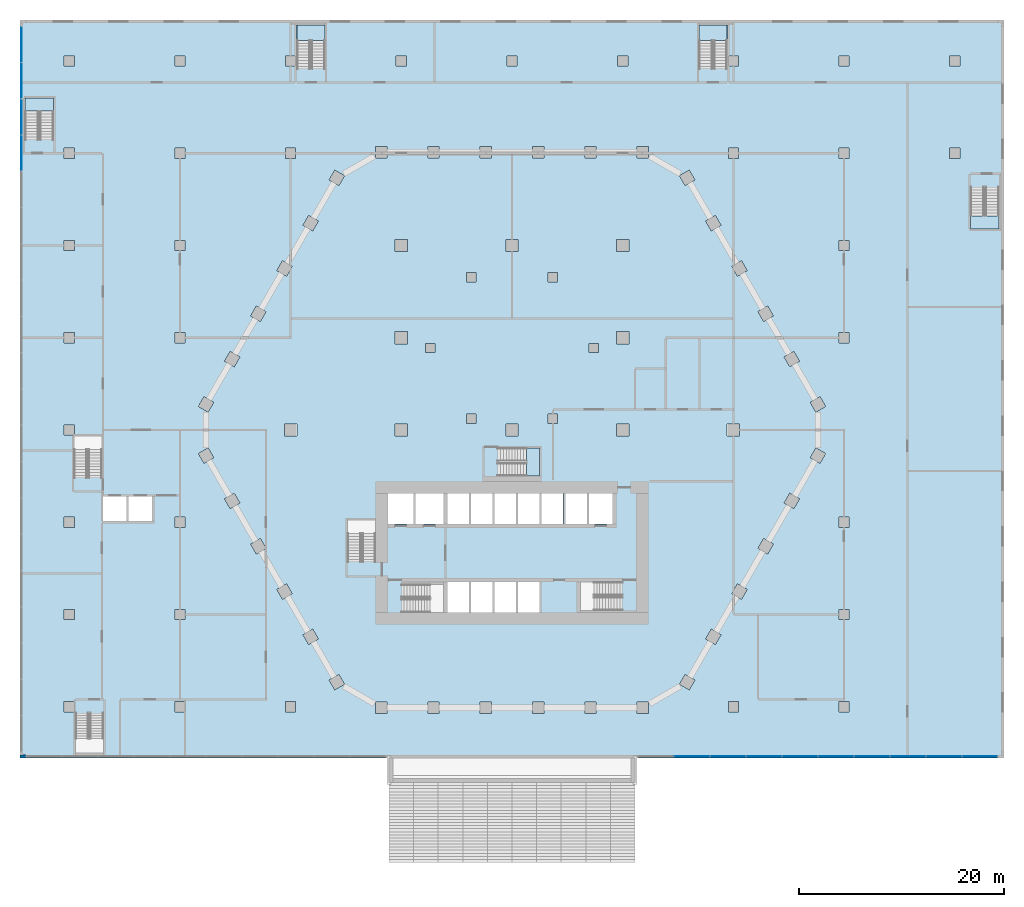
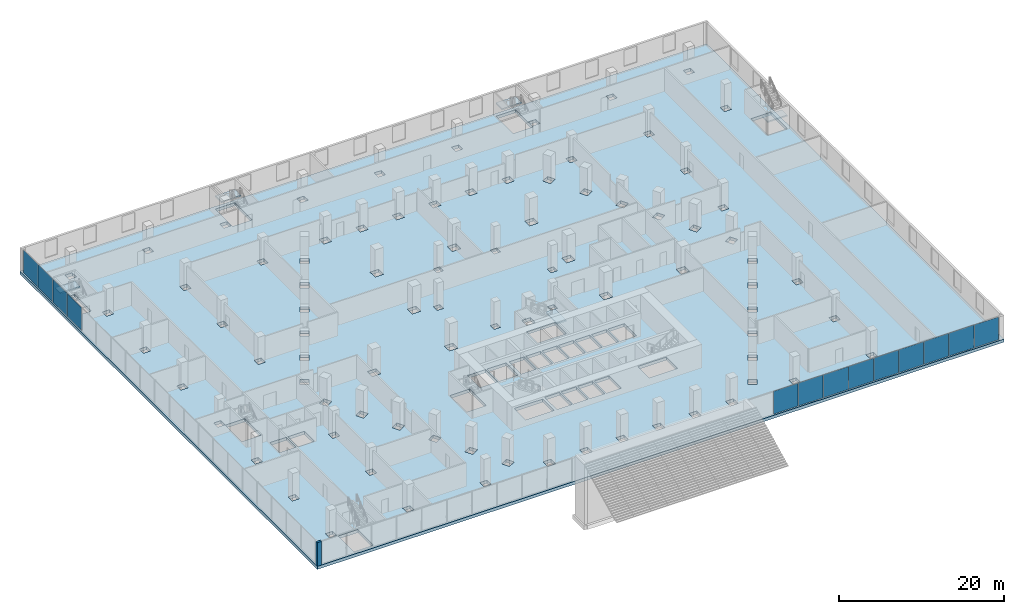
# One storey, part 13 of 45: 13 plates, 6 slabs, 1 wall, 7 elements without a shape of their own.
"""IFC4 building model written with IfcOpenShell, lengths in metres."""

from ifc_helpers import new_model, si_unit, direction, frame, frame_2d, origin, origin_2d, place, context, subcontext, project, spatial, polyline, rectangle, outline, extrude, material, layer, layer_set, type_object, element, aggregate, save


model = new_model("IFC4")

# Units and contexts
model_context = context("Model", 3, precision=1e-05, world=origin(), true_north=direction((0.0, 1.0)))
body_context = subcontext(model_context, "Body", "Model", "MODEL_VIEW")
ifc_project = project(units=[si_unit("LENGTHUNIT", "METRE"), si_unit("AREAUNIT", "SQUARE_METRE"), si_unit("VOLUMEUNIT", "CUBIC_METRE"), si_unit("PLANEANGLEUNIT", "RADIAN"), si_unit("MASSUNIT", "GRAM", prefix="KILO")], contexts=[model_context])

# Site, building, storey
site_placement = place(None, origin())
site = spatial("IfcSite", under=ifc_project, at=site_placement, CompositionType="ELEMENT")
building_placement = place(site_placement, origin())
building = spatial("IfcBuilding", under=site, at=building_placement, Name="Beryl Residences", CompositionType="ELEMENT")
storey_placement = place(building_placement, frame((0.0, 0.0, 5.0)))
storey = spatial("IfcBuildingStorey", under=building, at=storey_placement, Name="L01", CompositionType="ELEMENT", Elevation=5.0)

# Curtain wall, plates
ifc_material_1 = material(Name="Aluminium and clear glass", Category="aluminium")
curtain_wall_type = type_object("IfcCurtainWallType", Name="CW1 shopfront glazed wall", PredefinedType="NOTDEFINED", material=ifc_material_1)
curtain_wall_1_placement = place(storey_placement, origin())
curtain_wall_1 = element("IfcCurtainWall", 1, at=curtain_wall_1_placement, inside=storey, type_object=curtain_wall_type, Name="CW1 L01 S", PredefinedType="NOTDEFINED")
ifc_material_2 = material(Name="Clear laminated glass", Category="glass")
ifc_layer_1 = layer(ifc_material_2, 0.028076171875)
ifc_layer_set_1 = layer_set([ifc_layer_1], Name="CW1-P glazing panel 28 mm")
plate_type = type_object("IfcPlateType", Name="CW1-P glazing panel 28 mm", PredefinedType="CURTAIN_PANEL", material=ifc_layer_set_1)
plate_1_placement = place(storey_placement, frame((17.56494140625, -31.85009765625, 0.06005859375), z_axis=(0.0, 0.0, 1.0), x_axis=(1.0, 0.0, 0.0)))
plate_1 = element("IfcPlate", 2, at=plate_1_placement, type_object=plate_type, Name="CW1 panel 2.1", PredefinedType="CURTAIN_PANEL", context=body_context, shape_type="SweptSolid", body=[
    extrude(rectangle(XDim=3.449951171875, YDim=0.028076171875, at=origin_2d()), origin(), (0.0, 0.0, 1.0), 3.3798828125),
])
plate_2_placement = place(storey_placement, frame((21.074951171875, -31.85009765625, 0.06005859375), z_axis=(0.0, 0.0, 1.0), x_axis=(1.0, 0.0, 0.0)))
plate_2 = element("IfcPlate", 3, at=plate_2_placement, type_object=plate_type, Name="CW1 panel 3.1", PredefinedType="CURTAIN_PANEL", context=body_context, shape_type="SweptSolid", body=[
    extrude(rectangle(XDim=3.449951171875, YDim=0.028076171875, at=origin_2d()), origin(), (0.0, 0.0, 1.0), 3.3798828125),
])
plate_3_placement = place(storey_placement, frame((24.5849609375, -31.85009765625, 0.06005859375), z_axis=(0.0, 0.0, 1.0), x_axis=(1.0, 0.0, 0.0)))
plate_3 = element("IfcPlate", 4, at=plate_3_placement, type_object=plate_type, Name="CW1 panel 4.1", PredefinedType="CURTAIN_PANEL", context=body_context, shape_type="SweptSolid", body=[
    extrude(rectangle(XDim=3.449951171875, YDim=0.028076171875, at=origin_2d()), origin(), (0.0, 0.0, 1.0), 3.3798828125),
])
plate_4_placement = place(storey_placement, frame((28.094970703125, -31.85009765625, 0.06005859375), z_axis=(0.0, 0.0, 1.0), x_axis=(1.0, 0.0, 0.0)))
plate_4 = element("IfcPlate", 5, at=plate_4_placement, type_object=plate_type, Name="CW1 panel 5.1", PredefinedType="CURTAIN_PANEL", context=body_context, shape_type="SweptSolid", body=[
    extrude(rectangle(XDim=3.449951171875, YDim=0.028076171875, at=origin_2d()), origin(), (0.0, 0.0, 1.0), 3.3798828125),
])
plate_5_placement = place(storey_placement, frame((31.60498046875, -31.85009765625, 0.06005859375), z_axis=(0.0, 0.0, 1.0), x_axis=(1.0, 0.0, 0.0)))
plate_5 = element("IfcPlate", 6, at=plate_5_placement, type_object=plate_type, Name="CW1 panel 6.1", PredefinedType="CURTAIN_PANEL", context=body_context, shape_type="SweptSolid", body=[
    extrude(rectangle(XDim=3.449951171875, YDim=0.028076171875, at=origin_2d()), origin(), (0.0, 0.0, 1.0), 3.3798828125),
])
plate_6_placement = place(storey_placement, frame((35.114990234375, -31.85009765625, 0.06005859375), z_axis=(0.0, 0.0, 1.0), x_axis=(1.0, 0.0, 0.0)))
plate_6 = element("IfcPlate", 7, at=plate_6_placement, type_object=plate_type, Name="CW1 panel 7.1", PredefinedType="CURTAIN_PANEL", context=body_context, shape_type="SweptSolid", body=[
    extrude(rectangle(XDim=3.449951171875, YDim=0.028076171875, at=origin_2d()), origin(), (0.0, 0.0, 1.0), 3.3798828125),
])
plate_7_placement = place(storey_placement, frame((38.625, -31.85009765625, 0.06005859375), z_axis=(0.0, 0.0, 1.0), x_axis=(1.0, 0.0, 0.0)))
plate_7 = element("IfcPlate", 8, at=plate_7_placement, type_object=plate_type, Name="CW1 panel 8.1", PredefinedType="CURTAIN_PANEL", context=body_context, shape_type="SweptSolid", body=[
    extrude(rectangle(XDim=3.449951171875, YDim=0.028076171875, at=origin_2d()), origin(), (0.0, 0.0, 1.0), 3.3798828125),
])
plate_8_placement = place(storey_placement, frame((42.135009765625, -31.85009765625, 0.06005859375), z_axis=(0.0, 0.0, 1.0), x_axis=(1.0, 0.0, 0.0)))
plate_8 = element("IfcPlate", 9, at=plate_8_placement, type_object=plate_type, Name="CW1 panel 9.1", PredefinedType="CURTAIN_PANEL", context=body_context, shape_type="SweptSolid", body=[
    extrude(rectangle(XDim=3.449951171875, YDim=0.028076171875, at=origin_2d()), origin(), (0.0, 0.0, 1.0), 3.3798828125),
])
plate_9_placement = place(storey_placement, frame((45.6298828125, -31.85009765625, 0.06005859375), z_axis=(0.0, 0.0, 1.0), x_axis=(1.0, 0.0, 0.0)))
plate_9 = element("IfcPlate", 10, at=plate_9_placement, type_object=plate_type, Name="CW1 panel 10.1", PredefinedType="CURTAIN_PANEL", context=body_context, shape_type="SweptSolid", body=[
    extrude(rectangle(XDim=3.419921875, YDim=0.028076171875, at=origin_2d()), origin(), (0.0, 0.0, 1.0), 3.3798828125),
])
aggregate(curtain_wall_1, [plate_1, plate_2, plate_3, plate_4, plate_5, plate_6, plate_7, plate_8, plate_9])

curtain_wall_2_placement = place(storey_placement, origin())
curtain_wall_2 = element("IfcCurtainWall", 11, at=curtain_wall_2_placement, inside=storey, type_object=curtain_wall_type, Name="CW1 L01 W", PredefinedType="NOTDEFINED")
plate_10_placement = place(storey_placement, frame((-47.85009765625, 37.614990234375, 0.06005859375), z_axis=(0.0, 0.0, 1.0), x_axis=(0.0, -1.0, 0.0)))
plate_10 = element("IfcPlate", 12, at=plate_10_placement, type_object=plate_type, Name="CW1 panel 1.1", PredefinedType="CURTAIN_PANEL", context=body_context, shape_type="SweptSolid", body=[
    extrude(rectangle(XDim=3.449951171875, YDim=0.028076171875, at=origin_2d()), origin(), (0.0, 0.0, 1.0), 3.3798828125),
])
plate_11_placement = place(storey_placement, frame((-47.85009765625, 34.090087890625, 0.06005859375), z_axis=(0.0, 0.0, 1.0), x_axis=(0.0, -1.0, 0.0)))
plate_11 = element("IfcPlate", 13, at=plate_11_placement, type_object=plate_type, Name="CW1 panel 2.1", PredefinedType="CURTAIN_PANEL", context=body_context, shape_type="SweptSolid", body=[
    extrude(rectangle(XDim=3.47998046875, YDim=0.028076171875, at=origin_2d()), origin(), (0.0, 0.0, 1.0), 3.3798828125),
])
plate_12_placement = place(storey_placement, frame((-47.85009765625, 30.550048828125, 0.06005859375), z_axis=(0.0, 0.0, 1.0), x_axis=(0.0, -1.0, 0.0)))
plate_12 = element("IfcPlate", 14, at=plate_12_placement, type_object=plate_type, Name="CW1 panel 3.1", PredefinedType="CURTAIN_PANEL", context=body_context, shape_type="SweptSolid", body=[
    extrude(rectangle(XDim=3.47998046875, YDim=0.028076171875, at=origin_2d()), origin(), (0.0, 0.0, 1.0), 3.3798828125),
])
plate_13_placement = place(storey_placement, frame((-47.85009765625, 27.010009765625, 0.06005859375), z_axis=(0.0, 0.0, 1.0), x_axis=(0.0, -1.0, 0.0)))
plate_13 = element("IfcPlate", 15, at=plate_13_placement, type_object=plate_type, Name="CW1 panel 4.1", PredefinedType="CURTAIN_PANEL", context=body_context, shape_type="SweptSolid", body=[
    extrude(rectangle(XDim=3.47998046875, YDim=0.028076171875, at=origin_2d()), origin(), (0.0, 0.0, 1.0), 3.3798828125),
])
aggregate(curtain_wall_2, [plate_10, plate_11, plate_12, plate_13])

# Slab
ifc_material_3 = material(Name="Concrete C40/50", Category="concrete")
ifc_layer_2 = layer(ifc_material_3, 0.449951171875)
ifc_layer_set_2 = layer_set([ifc_layer_2], Name="SL2 podium floor slab 450 mm C40/50")
slab_type_1 = type_object("IfcSlabType", Name="SL2 podium floor slab 450 mm C40/50", PredefinedType="FLOOR", material=ifc_layer_set_2)
slab_1_placement = place(storey_placement, frame((0.0, 0.0, -0.449951171875)))
element("IfcSlab", 16, at=slab_1_placement, inside=storey, type_object=slab_type_1, Name="L01 slab 1", PredefinedType="FLOOR", context=body_context, shape_type="SweptSolid", body=[
    extrude(outline(polyline([(-48.0, 40.0), (48.0, 40.0), (48.0, -32.0), (-48.0, -32.0), (-48.0, 40.0)]), holes=[polyline([(47.5, 19.60009765625), (47.5, 23.60009765625), (44.75, 23.60009765625), (44.75, 19.60009765625), (47.5, 19.60009765625)]), polyline([(42.699951171875, 36.5), (42.699951171875, 35.5), (43.699951171875, 35.5), (43.699951171875, 36.5), (42.699951171875, 36.5)]), polyline([(43.699951171875, 27.5), (42.699951171875, 27.5), (42.699951171875, 26.5), (43.699951171875, 26.5), (43.699951171875, 27.5)]), polyline([(32.89990234375, 36.5), (31.89990234375, 36.5), (31.89990234375, 35.5), (32.89990234375, 35.5), (32.89990234375, 36.5)]), polyline([(32.89990234375, 9.5), (31.89990234375, 9.5), (31.89990234375, 8.5), (32.89990234375, 8.5), (32.89990234375, 9.5)]), polyline([(32.89990234375, -8.5), (31.89990234375, -8.5), (31.89990234375, -9.5), (32.89990234375, -9.5), (32.89990234375, -8.5)]), polyline([(32.89990234375, -26.5), (31.89990234375, -26.5), (31.89990234375, -27.5), (32.89990234375, -27.5), (32.89990234375, -26.5)]), polyline([(31.89990234375, 26.5), (32.89990234375, 26.5), (32.89990234375, 27.5), (31.89990234375, 27.5), (31.89990234375, 26.5)]), polyline([(31.89990234375, 18.5), (31.89990234375, 17.5), (32.89990234375, 17.5), (32.89990234375, 18.5), (31.89990234375, 18.5)]), polyline([(31.89990234375, -17.5), (31.89990234375, -18.5), (32.89990234375, -18.5), (32.89990234375, -17.5), (31.89990234375, -17.5)]), polyline([(29.097900390625, -2.699951171875), (30.050048828125, -3.25), (30.60009765625, -2.298095703125), (29.64794921875, -1.748046875), (29.097900390625, -2.699951171875)]), polyline([(29.096923828125, 2.700927734375), (29.64697265625, 1.7490234375), (30.59912109375, 2.299072265625), (30.049072265625, 3.2509765625), (29.096923828125, 2.700927734375)]), polyline([(27.096923828125, -6.16796875), (26.547119140625, -7.1201171875), (27.4990234375, -7.669921875), (28.049072265625, -6.718017578125), (27.096923828125, -6.16796875)]), polyline([(28.048095703125, 6.719970703125), (27.498046875, 7.672119140625), (26.5458984375, 7.1220703125), (27.095947265625, 6.169921875), (28.048095703125, 6.719970703125)]), polyline([(23.9951171875, -11.5400390625), (24.947021484375, -12.090087890625), (25.4970703125, -11.137939453125), (24.544921875, -10.587890625), (23.9951171875, -11.5400390625)]), polyline([(23.993896484375, 11.5419921875), (24.5439453125, 10.590087890625), (25.49609375, 11.139892578125), (24.946044921875, 12.092041015625), (23.993896484375, 11.5419921875)]), polyline([(22.39501953125, -16.510009765625), (22.945068359375, -15.55810546875), (21.992919921875, -15.008056640625), (21.443115234375, -15.9599609375), (22.39501953125, -16.510009765625)]), polyline([(21.991943359375, 15.010009765625), (22.944091796875, 15.56005859375), (22.39404296875, 16.511962890625), (21.44189453125, 15.9619140625), (21.991943359375, 15.010009765625)]), polyline([(22.199951171875, 0.60009765625), (21.0, 0.60009765625), (21.0, -0.60009765625), (22.199951171875, -0.60009765625), (22.199951171875, 0.60009765625)]), polyline([(22.10009765625, 36.5), (21.10009765625, 36.5), (21.10009765625, 35.5), (22.10009765625, 35.5), (22.10009765625, 36.5)]), polyline([(22.10009765625, 27.5), (21.10009765625, 27.5), (21.10009765625, 26.5), (22.10009765625, 26.5), (22.10009765625, 27.5)]), polyline([(21.10009765625, -26.5), (21.10009765625, -27.5), (22.10009765625, -27.5), (22.10009765625, -26.5), (21.10009765625, -26.5)]), polyline([(18.25, 39.5), (18.25, 35.300048828125), (21.0, 35.300048828125), (21.0, 39.5), (18.25, 39.5)]), polyline([(19.44091796875, -19.428955078125), (18.89111328125, -20.381103515625), (19.843017578125, -20.930908203125), (20.39306640625, -19.97900390625), (19.44091796875, -19.428955078125)]), polyline([(19.43994140625, 19.429931640625), (20.39208984375, 19.97998046875), (19.842041015625, 20.931884765625), (18.889892578125, 20.382080078125), (19.43994140625, 19.429931640625)]), polyline([(16.888916015625, -23.84912109375), (16.339111328125, -24.801025390625), (17.291015625, -25.35107421875), (17.841064453125, -24.39892578125), (16.888916015625, -23.84912109375)]), polyline([(16.337890625, 24.802001953125), (16.887939453125, 23.85009765625), (17.840087890625, 24.39990234375), (17.2900390625, 25.35205078125), (16.337890625, 24.802001953125)]), polyline([(13.31103515625, -26.550048828125), (12.2109375, -26.550048828125), (12.2109375, -27.64990234375), (13.31103515625, -27.64990234375), (13.31103515625, -26.550048828125)]), polyline([(12.208984375, 26.550048828125), (13.30908203125, 26.550048828125), (13.30908203125, 27.64990234375), (12.208984375, 27.64990234375), (12.208984375, 26.550048828125)]), polyline([(10.199951171875, 17.39990234375), (11.39990234375, 17.39990234375), (11.39990234375, 18.60009765625), (10.199951171875, 18.60009765625), (10.199951171875, 17.39990234375)]), polyline([(10.199951171875, 9.60009765625), (10.199951171875, 8.39990234375), (11.39990234375, 8.39990234375), (11.39990234375, 9.60009765625), (10.199951171875, 9.60009765625)]), polyline([(10.199951171875, 0.60009765625), (10.199951171875, -0.60009765625), (11.39990234375, -0.60009765625), (11.39990234375, 0.60009765625), (10.199951171875, 0.60009765625)]), polyline([(11.300048828125, 36.5), (10.300048828125, 36.5), (10.300048828125, 35.5), (11.300048828125, 35.5), (11.300048828125, 36.5)]), polyline([(6.699951171875, -17.60009765625), (10.699951171875, -17.60009765625), (10.699951171875, -14.85009765625), (6.699951171875, -14.85009765625), (6.699951171875, -17.60009765625)]), polyline([(7.5, -9.14990234375), (9.800048828125, -9.14990234375), (9.800048828125, -6.199951171875), (7.5, -6.199951171875), (7.5, -9.14990234375)]), polyline([(8.4169921875, 8.449951171875), (7.51708984375, 8.449951171875), (7.51708984375, 7.550048828125), (8.4169921875, 7.550048828125), (8.4169921875, 8.449951171875)]), polyline([(8.20703125, -26.550048828125), (7.10693359375, -26.550048828125), (7.10693359375, -27.64990234375), (8.20703125, -27.64990234375), (8.20703125, -26.550048828125)]), polyline([(8.205078125, 26.550048828125), (8.205078125, 27.64990234375), (7.10498046875, 27.64990234375), (7.10498046875, 26.550048828125), (8.205078125, 26.550048828125)]), polyline([(7.300048828125, -9.14990234375), (7.300048828125, -6.199951171875), (5.199951171875, -6.199951171875), (5.199951171875, -9.14990234375), (7.300048828125, -9.14990234375)]), polyline([(5.0, -9.14990234375), (5.0, -6.199951171875), (2.89990234375, -6.199951171875), (2.89990234375, -9.14990234375), (5.0, -9.14990234375)]), polyline([(4.43408203125, 15.35009765625), (3.533935546875, 15.35009765625), (3.533935546875, 14.449951171875), (4.43408203125, 14.449951171875), (4.43408203125, 15.35009765625)]), polyline([(4.43408203125, 1.550048828125), (3.533935546875, 1.550048828125), (3.533935546875, 0.64990234375), (4.43408203125, 0.64990234375), (4.43408203125, 1.550048828125)]), polyline([(2.0029296875, -26.550048828125), (2.0029296875, -27.64990234375), (3.10302734375, -27.64990234375), (3.10302734375, -26.550048828125), (2.0029296875, -26.550048828125)]), polyline([(2.0009765625, 26.550048828125), (3.10107421875, 26.550048828125), (3.10107421875, 27.64990234375), (2.0009765625, 27.64990234375), (2.0009765625, 26.550048828125)]), polyline([(2.699951171875, -1.75), (-1.300048828125, -1.75), (-1.300048828125, -4.5), (2.699951171875, -4.5), (2.699951171875, -1.75)]), polyline([(2.699951171875, -14.85009765625), (0.60009765625, -14.85009765625), (0.60009765625, -17.800048828125), (2.699951171875, -17.800048828125), (2.699951171875, -14.85009765625)]), polyline([(2.699951171875, -9.14990234375), (2.699951171875, -6.199951171875), (0.60009765625, -6.199951171875), (0.60009765625, -9.14990234375), (2.699951171875, -9.14990234375)]), polyline([(0.60009765625, 18.60009765625), (-0.60009765625, 18.60009765625), (-0.60009765625, 17.39990234375), (0.60009765625, 17.39990234375), (0.60009765625, 18.60009765625)]), polyline([(0.60009765625, 0.60009765625), (-0.60009765625, 0.60009765625), (-0.60009765625, -0.60009765625), (0.60009765625, -0.60009765625), (0.60009765625, 0.60009765625)]), polyline([(-0.5, 36.5), (-0.5, 35.5), (0.5, 35.5), (0.5, 36.5), (-0.5, 36.5)]), polyline([(0.39990234375, -9.14990234375), (0.39990234375, -6.199951171875), (-1.699951171875, -6.199951171875), (-1.699951171875, -9.14990234375), (0.39990234375, -9.14990234375)]), polyline([(0.39990234375, -17.800048828125), (0.39990234375, -14.85009765625), (-1.699951171875, -14.85009765625), (-1.699951171875, -17.800048828125), (0.39990234375, -17.800048828125)]), polyline([(-1.89990234375, -9.14990234375), (-1.89990234375, -6.199951171875), (-4.0, -6.199951171875), (-4.0, -9.14990234375), (-1.89990234375, -9.14990234375)]), polyline([(-1.89990234375, -14.85009765625), (-4.0, -14.85009765625), (-4.0, -17.800048828125), (-1.89990234375, -17.800048828125), (-1.89990234375, -14.85009765625)]), polyline([(-3.10107421875, -26.550048828125), (-3.10107421875, -27.64990234375), (-2.0009765625, -27.64990234375), (-2.0009765625, -26.550048828125), (-3.10107421875, -26.550048828125)]), polyline([(-3.10302734375, 26.550048828125), (-2.0029296875, 26.550048828125), (-2.0029296875, 27.64990234375), (-3.10302734375, 27.64990234375), (-3.10302734375, 26.550048828125)]), polyline([(-4.43408203125, 15.35009765625), (-4.43408203125, 14.449951171875), (-3.533935546875, 14.449951171875), (-3.533935546875, 15.35009765625), (-4.43408203125, 15.35009765625)]), polyline([(-4.43408203125, 1.550048828125), (-4.43408203125, 0.64990234375), (-3.533935546875, 0.64990234375), (-3.533935546875, 1.550048828125), (-4.43408203125, 1.550048828125)]), polyline([(-4.199951171875, -17.800048828125), (-4.199951171875, -14.85009765625), (-6.300048828125, -14.85009765625), (-6.300048828125, -17.800048828125), (-4.199951171875, -17.800048828125)]), polyline([(-4.199951171875, -9.14990234375), (-4.199951171875, -6.199951171875), (-6.300048828125, -6.199951171875), (-6.300048828125, -9.14990234375), (-4.199951171875, -9.14990234375)]), polyline([(-6.699951171875, -15.050048828125), (-10.699951171875, -15.050048828125), (-10.699951171875, -17.800048828125), (-6.699951171875, -17.800048828125), (-6.699951171875, -15.050048828125)]), polyline([(-6.699951171875, -9.14990234375), (-6.699951171875, -6.199951171875), (-9.39990234375, -6.199951171875), (-9.39990234375, -9.14990234375), (-6.699951171875, -9.14990234375)]), polyline([(-8.205078125, -26.550048828125), (-8.205078125, -27.64990234375), (-7.10498046875, -27.64990234375), (-7.10498046875, -26.550048828125), (-8.205078125, -26.550048828125)]), polyline([(-7.10693359375, 26.550048828125), (-7.10693359375, 27.64990234375), (-8.20703125, 27.64990234375), (-8.20703125, 26.550048828125), (-7.10693359375, 26.550048828125)]), polyline([(-7.51708984375, 8.449951171875), (-8.4169921875, 8.449951171875), (-8.4169921875, 7.550048828125), (-7.51708984375, 7.550048828125), (-7.51708984375, 8.449951171875)]), polyline([(-9.60009765625, -9.14990234375), (-9.60009765625, -6.199951171875), (-12.10009765625, -6.199951171875), (-12.10009765625, -9.14990234375), (-9.60009765625, -9.14990234375)]), polyline([(-11.39990234375, 9.60009765625), (-11.39990234375, 8.39990234375), (-10.199951171875, 8.39990234375), (-10.199951171875, 9.60009765625), (-11.39990234375, 9.60009765625)]), polyline([(-11.39990234375, 18.60009765625), (-11.39990234375, 17.39990234375), (-10.199951171875, 17.39990234375), (-10.199951171875, 18.60009765625), (-11.39990234375, 18.60009765625)]), polyline([(-10.199951171875, 0.60009765625), (-11.39990234375, 0.60009765625), (-11.39990234375, -0.60009765625), (-10.199951171875, -0.60009765625), (-10.199951171875, 0.60009765625)]), polyline([(-11.300048828125, 36.5), (-11.300048828125, 35.5), (-10.300048828125, 35.5), (-10.300048828125, 36.5), (-11.300048828125, 36.5)]), polyline([(-13.30908203125, -26.550048828125), (-13.30908203125, -27.64990234375), (-12.208984375, -27.64990234375), (-12.208984375, -26.550048828125), (-13.30908203125, -26.550048828125)]), polyline([(-12.2109375, 26.550048828125), (-12.2109375, 27.64990234375), (-13.31103515625, 27.64990234375), (-13.31103515625, 26.550048828125), (-12.2109375, 26.550048828125)]), polyline([(-16.050048828125, -8.800048828125), (-16.050048828125, -12.800048828125), (-13.300048828125, -12.800048828125), (-13.300048828125, -8.800048828125), (-16.050048828125, -8.800048828125)]), polyline([(-16.337890625, -24.802001953125), (-16.887939453125, -23.85009765625), (-17.840087890625, -24.39990234375), (-17.2900390625, -25.35205078125), (-16.337890625, -24.802001953125)]), polyline([(-16.339111328125, 24.801025390625), (-17.291015625, 25.35107421875), (-17.841064453125, 24.39892578125), (-16.888916015625, 23.84912109375), (-16.339111328125, 24.801025390625)]), polyline([(-18.25, 35.300048828125), (-18.25, 39.5), (-21.0, 39.5), (-21.0, 35.300048828125), (-18.25, 35.300048828125)]), polyline([(-18.889892578125, -20.382080078125), (-19.43994140625, -19.429931640625), (-20.39208984375, -19.97998046875), (-19.842041015625, -20.931884765625), (-18.889892578125, -20.382080078125)]), polyline([(-19.843017578125, 20.930908203125), (-20.39306640625, 19.97900390625), (-19.44091796875, 19.428955078125), (-18.89111328125, 20.381103515625), (-19.843017578125, 20.930908203125)]), polyline([(-22.199951171875, 0.60009765625), (-22.199951171875, -0.60009765625), (-21.0, -0.60009765625), (-21.0, 0.60009765625), (-22.199951171875, 0.60009765625)]), polyline([(-22.10009765625, 36.5), (-22.10009765625, 35.5), (-21.10009765625, 35.5), (-21.10009765625, 36.5), (-22.10009765625, 36.5)]), polyline([(-22.10009765625, -26.5), (-22.10009765625, -27.5), (-21.10009765625, -27.5), (-21.10009765625, -26.5), (-22.10009765625, -26.5)]), polyline([(-21.10009765625, 27.5), (-22.10009765625, 27.5), (-22.10009765625, 26.5), (-21.10009765625, 26.5), (-21.10009765625, 27.5)]), polyline([(-21.991943359375, -15.010009765625), (-22.944091796875, -15.56005859375), (-22.39404296875, -16.511962890625), (-21.44189453125, -15.9619140625), (-21.991943359375, -15.010009765625)]), polyline([(-21.443115234375, 15.9599609375), (-22.39501953125, 16.510009765625), (-22.945068359375, 15.55810546875), (-21.992919921875, 15.008056640625), (-21.443115234375, 15.9599609375)]), polyline([(-25.49609375, -11.139892578125), (-24.946044921875, -12.092041015625), (-23.993896484375, -11.5419921875), (-24.5439453125, -10.590087890625), (-25.49609375, -11.139892578125)]), polyline([(-23.9951171875, 11.5400390625), (-24.947021484375, 12.090087890625), (-25.4970703125, 11.137939453125), (-24.544921875, 10.587890625), (-23.9951171875, 11.5400390625)]), polyline([(-27.095947265625, -6.169921875), (-28.048095703125, -6.719970703125), (-27.498046875, -7.672119140625), (-26.5458984375, -7.1220703125), (-27.095947265625, -6.169921875)]), polyline([(-26.547119140625, 7.1201171875), (-27.4990234375, 7.669921875), (-28.049072265625, 6.718017578125), (-27.096923828125, 6.16796875), (-26.547119140625, 7.1201171875)]), polyline([(-30.59912109375, -2.299072265625), (-30.049072265625, -3.2509765625), (-29.096923828125, -2.700927734375), (-29.64697265625, -1.7490234375), (-30.59912109375, -2.299072265625)]), polyline([(-29.64794921875, 1.748046875), (-29.097900390625, 2.699951171875), (-30.050048828125, 3.25), (-30.60009765625, 2.298095703125), (-29.64794921875, 1.748046875)]), polyline([(-32.89990234375, 27.5), (-32.89990234375, 26.5), (-31.89990234375, 26.5), (-31.89990234375, 27.5), (-32.89990234375, 27.5)]), polyline([(-32.89990234375, -26.5), (-32.89990234375, -27.5), (-31.89990234375, -27.5), (-31.89990234375, -26.5), (-32.89990234375, -26.5)]), polyline([(-32.89990234375, -18.5), (-31.89990234375, -18.5), (-31.89990234375, -17.5), (-32.89990234375, -17.5), (-32.89990234375, -18.5)]), polyline([(-31.89990234375, -8.5), (-32.89990234375, -8.5), (-32.89990234375, -9.5), (-31.89990234375, -9.5), (-31.89990234375, -8.5)]), polyline([(-31.89990234375, 9.5), (-32.89990234375, 9.5), (-32.89990234375, 8.5), (-31.89990234375, 8.5), (-31.89990234375, 9.5)]), polyline([(-31.89990234375, 18.5), (-32.89990234375, 18.5), (-32.89990234375, 17.5), (-31.89990234375, 17.5), (-31.89990234375, 18.5)]), polyline([(-32.89990234375, 36.5), (-32.89990234375, 35.5), (-31.89990234375, 35.5), (-31.89990234375, 36.5), (-32.89990234375, 36.5)]), polyline([(-37.39990234375, -6.5), (-37.39990234375, -8.89990234375), (-35.10009765625, -8.89990234375), (-35.10009765625, -6.5), (-37.39990234375, -6.5)]), polyline([(-37.60009765625, -8.89990234375), (-37.60009765625, -6.5), (-39.89990234375, -6.5), (-39.89990234375, -8.89990234375), (-37.60009765625, -8.89990234375)]), polyline([(-42.60009765625, -27.699951171875), (-42.60009765625, -31.5), (-39.85009765625, -31.5), (-39.85009765625, -27.699951171875), (-42.60009765625, -27.699951171875)]), polyline([(-42.75, -0.60009765625), (-42.75, -4.60009765625), (-40.0, -4.60009765625), (-40.0, -0.60009765625), (-42.75, -0.60009765625)]), polyline([(-42.699951171875, 9.5), (-43.699951171875, 9.5), (-43.699951171875, 8.5), (-42.699951171875, 8.5), (-42.699951171875, 9.5)]), polyline([(-43.699951171875, -26.5), (-43.699951171875, -27.5), (-42.699951171875, -27.5), (-42.699951171875, -26.5), (-43.699951171875, -26.5)]), polyline([(-43.699951171875, 0.5), (-43.699951171875, -0.5), (-42.699951171875, -0.5), (-42.699951171875, 0.5), (-43.699951171875, 0.5)]), polyline([(-43.699951171875, 18.5), (-43.699951171875, 17.5), (-42.699951171875, 17.5), (-42.699951171875, 18.5), (-43.699951171875, 18.5)]), polyline([(-43.699951171875, 35.5), (-42.699951171875, 35.5), (-42.699951171875, 36.5), (-43.699951171875, 36.5), (-43.699951171875, 35.5)]), polyline([(-42.699951171875, -17.5), (-43.699951171875, -17.5), (-43.699951171875, -18.5), (-42.699951171875, -18.5), (-42.699951171875, -17.5)]), polyline([(-42.699951171875, -8.5), (-43.699951171875, -8.5), (-43.699951171875, -9.5), (-42.699951171875, -9.5), (-42.699951171875, -8.5)]), polyline([(-42.699951171875, 27.5), (-43.699951171875, 27.5), (-43.699951171875, 26.5), (-42.699951171875, 26.5), (-42.699951171875, 27.5)]), polyline([(-47.5, 32.39990234375), (-47.5, 28.39990234375), (-44.75, 28.39990234375), (-44.75, 32.39990234375), (-47.5, 32.39990234375)])]), origin(), (0.0, 0.0, 1.0), 0.449951171875),
])

# Stair, slab
ifc_material_4 = material(Name="Concrete C40/50", Category="concrete")
stair_type = type_object("IfcStairType", Name="ST1 protected exit stair, half-turn, 1300 mm flights", PredefinedType="HALF_TURN_STAIR", material=ifc_material_4)
stair_1_placement = place(storey_placement, origin())
stair_1 = element("IfcStair", 17, at=stair_1_placement, inside=storey, type_object=stair_type, Name="L01 Podium exit stair 1", PredefinedType="HALF_TURN_STAIR")
ifc_material_5 = material(Name="Concrete C40/50", Category="concrete")
ifc_layer_3 = layer(ifc_material_5, 0.199951171875)
ifc_layer_set_3 = layer_set([ifc_layer_3], Name="SLD1 stair landing 200 mm")
slab_type_2 = type_object("IfcSlabType", Name="SLD1 stair landing 200 mm", PredefinedType="LANDING", material=ifc_layer_set_3)
slab_2_placement = place(storey_placement, frame((0.0, 0.0, 1.800048828125)))
slab_2 = element("IfcSlab", 18, at=slab_2_placement, type_object=slab_type_2, Name="PS-1 landing 1", PredefinedType="LANDING", context=body_context, shape_type="SweptSolid", body=[
    extrude(outline(polyline([(-18.25, 38.0), (-18.25, 39.5), (-21.0, 39.5), (-21.0, 38.0), (-18.25, 38.0)])), origin(), (0.0, 0.0, 1.0), 0.199951171875),
])
aggregate(stair_1, [slab_2])

stair_2_placement = place(storey_placement, origin())
stair_2 = element("IfcStair", 19, at=stair_2_placement, inside=storey, type_object=stair_type, Name="L01 Podium exit stair 2", PredefinedType="HALF_TURN_STAIR")
slab_3_placement = place(storey_placement, frame((0.0, 0.0, 1.800048828125)))
slab_3 = element("IfcSlab", 20, at=slab_3_placement, type_object=slab_type_2, Name="PS-2 landing 1", PredefinedType="LANDING", context=body_context, shape_type="SweptSolid", body=[
    extrude(outline(polyline([(21.0, 38.0), (21.0, 39.5), (18.25, 39.5), (18.25, 38.0), (21.0, 38.0)])), origin(), (0.0, 0.0, 1.0), 0.199951171875),
])
aggregate(stair_2, [slab_3])

stair_3_placement = place(storey_placement, origin())
stair_3 = element("IfcStair", 21, at=stair_3_placement, inside=storey, type_object=stair_type, Name="L01 Podium exit stair 3", PredefinedType="HALF_TURN_STAIR")
slab_4_placement = place(storey_placement, frame((0.0, 0.0, 1.800048828125)))
slab_4 = element("IfcSlab", 22, at=slab_4_placement, type_object=slab_type_2, Name="PS-3 landing 1", PredefinedType="LANDING", context=body_context, shape_type="SweptSolid", body=[
    extrude(outline(polyline([(-44.75, 31.10009765625), (-44.75, 32.39990234375), (-47.5, 32.39990234375), (-47.5, 31.10009765625), (-44.75, 31.10009765625)])), origin(), (0.0, 0.0, 1.0), 0.199951171875),
])
aggregate(stair_3, [slab_4])

stair_4_placement = place(storey_placement, origin())
stair_4 = element("IfcStair", 23, at=stair_4_placement, inside=storey, type_object=stair_type, Name="L01 Podium exit stair 5", PredefinedType="HALF_TURN_STAIR")
slab_5_placement = place(storey_placement, frame((0.0, 0.0, 1.800048828125)))
slab_5 = element("IfcSlab", 24, at=slab_5_placement, type_object=slab_type_2, Name="PS-5 landing 1", PredefinedType="LANDING", context=body_context, shape_type="SweptSolid", body=[
    extrude(outline(polyline([(44.75, 20.89990234375), (44.75, 19.60009765625), (47.5, 19.60009765625), (47.5, 20.89990234375), (44.75, 20.89990234375)])), origin(), (0.0, 0.0, 1.0), 0.199951171875),
])
aggregate(stair_4, [slab_5])

stair_5_placement = place(storey_placement, origin())
stair_5 = element("IfcStair", 25, at=stair_5_placement, inside=storey, type_object=stair_type, Name="L01 PROTECTED EXIT STAIR ST-4", PredefinedType="HALF_TURN_STAIR")
slab_6_placement = place(storey_placement, frame((0.0, 0.0, 1.800048828125)))
slab_6 = element("IfcSlab", 26, at=slab_6_placement, type_object=slab_type_2, Name="ST-4 landing 1", PredefinedType="LANDING", context=body_context, shape_type="SweptSolid", body=[
    extrude(outline(polyline([(1.39990234375, -4.5), (2.699951171875, -4.5), (2.699951171875, -1.75), (1.39990234375, -1.75), (1.39990234375, -4.5)])), origin(), (0.0, 0.0, 1.0), 0.199951171875),
])
aggregate(stair_5, [slab_6])

# Wall
ifc_material_6 = material(Name="Composite metal panel with mineral wool insulation")
ifc_layer_4 = layer(ifc_material_6, 0.300048828125)
ifc_layer_set_4 = layer_set([ifc_layer_4], Name="ES1 pale metal composite panel wall 300 mm")
wall_type = type_object("IfcWallType", Name="ES1 pale metal composite panel wall 300 mm", PredefinedType="SOLIDWALL", material=ifc_layer_set_4)
wall_placement = place(storey_placement, frame((-48.0, -31.85009765625, 0.0), z_axis=(0.0, 0.0, 1.0), x_axis=(1.0, 0.0, 0.0)))
element("IfcWall", 27, at=wall_placement, inside=storey, type_object=wall_type, Name="ES1 external wall L01 S 1", PredefinedType="SOLIDWALL", context=body_context, shape_type="SweptSolid", body=[
    extrude(rectangle(XDim=0.60009765625, YDim=0.300048828125, at=frame_2d((0.300048828125, 0.0))), origin(), (0.0, 0.0, 1.0), 3.5),
])

save(model, "model.ifc")
